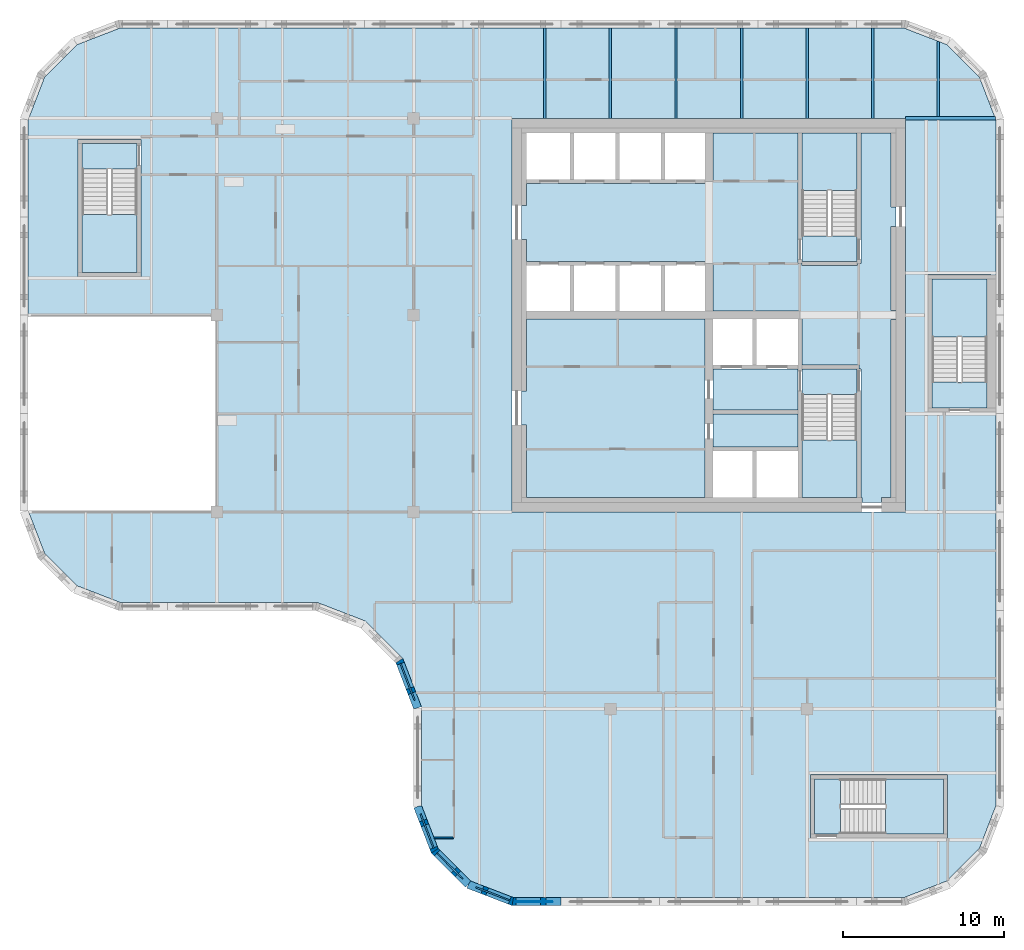
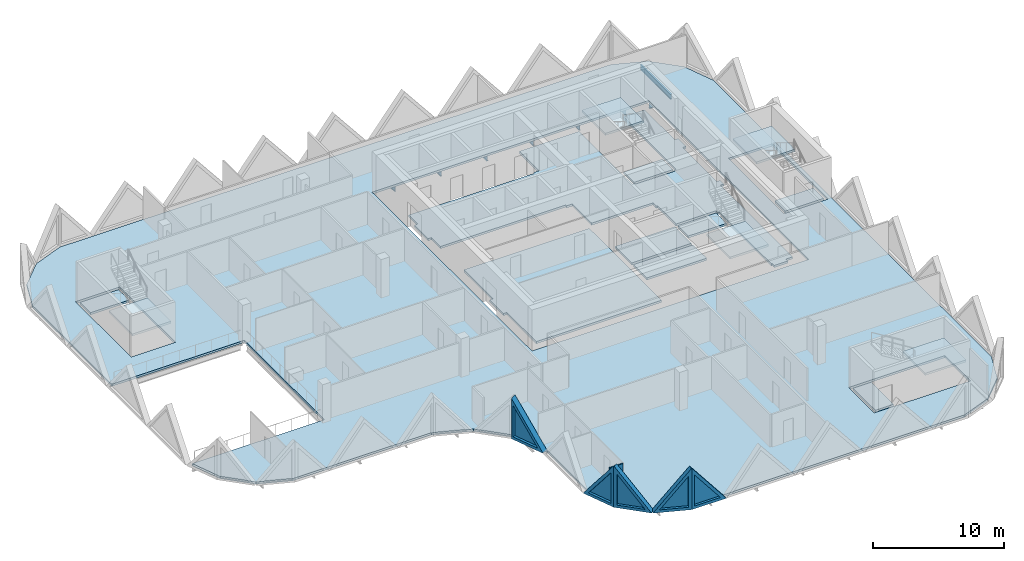
# One storey, part 2 of 12: 15 slabs, 8 beams, 6 walls, 5 plates, 5 openings, 5 elements without a shape of their own.
"""IFC4 building model written with IfcOpenShell, lengths in metres."""

from ifc_helpers import new_model, si_unit, direction, frame, frame_2d, origin, origin_2d, place, context, subcontext, project, spatial, polyline, rectangle, i_section, outline, extrude, faceted_brep, source, transform, mapped, material, layer, layer_set, material_profile, profile_set, type_object, element, fill, aggregate, save


model = new_model("IFC4")

# Units and contexts
model_context = context("Model", 3, precision=1e-05, world=origin(), true_north=direction((0.0, 1.0)))
body_context = subcontext(model_context, "Body", "Model", "MODEL_VIEW")
ifc_project = project(units=[si_unit("LENGTHUNIT", "METRE"), si_unit("AREAUNIT", "SQUARE_METRE"), si_unit("VOLUMEUNIT", "CUBIC_METRE"), si_unit("PLANEANGLEUNIT", "RADIAN"), si_unit("MASSUNIT", "GRAM", prefix="KILO")], contexts=[model_context])

# Site, building, storey
site_placement = place(None, origin())
site = spatial("IfcSite", under=ifc_project, at=site_placement, CompositionType="ELEMENT")
building_placement = place(site_placement, origin())
building = spatial("IfcBuilding", under=site, at=building_placement, Name="Tessera Gate Towers", CompositionType="ELEMENT")
storey_placement = place(building_placement, frame((0.0, 0.0, 155.39990234375)))
storey = spatial("IfcBuildingStorey", under=building, at=storey_placement, Name="L38", CompositionType="ELEMENT", Elevation=155.39990234375)

# Beams
ifc_material_1 = material(Name="Steel 350W", Category="steel")
ifc_material_profile_1 = material_profile(ifc_material_1, i_section(OverallWidth=0.208984375, OverallDepth=0.532958984375, WebThickness=0.01025390625, FlangeThickness=0.015625, at=origin_2d()), Name="W530x92")
ifc_profile_set_1 = profile_set([ifc_material_profile_1], Name="Steel 350W")
beam_type_1 = type_object("IfcBeamType", Name="FLOOR GIRDER W530x92", PredefinedType="BEAM", material=ifc_profile_set_1)
beam_1_placement = place(storey_placement, frame((54.90087890625, 48.800048828125, -0.46630859375), z_axis=(1.0, 0.0, 0.0), x_axis=(0.0, 1.0, 0.0)))
element("IfcBeam", 1, at=beam_1_placement, inside=storey, type_object=beam_type_1, Name="T1-GD-L38-4384", PredefinedType="BEAM", context=body_context, shape_type="SweptSolid", body=[
    extrude(i_section(OverallWidth=0.208984375, OverallDepth=0.532958984375, WebThickness=0.01025390625, FlangeThickness=0.015625, at=origin_2d()), origin(), (0.0, 0.0, 1.0), 5.564208984375),
])
ifc_material_2 = material(Name="Steel 350W", Category="steel")
ifc_material_profile_2 = material_profile(ifc_material_2, i_section(OverallWidth=0.153076171875, OverallDepth=0.455078125, WebThickness=0.008056640625, FlangeThickness=0.01318359375, at=origin_2d()), Name="W460x60")
ifc_profile_set_2 = profile_set([ifc_material_profile_2], Name="Steel 350W")
beam_type_2 = type_object("IfcBeamType", Name="FLOOR SECONDARY W460x60", PredefinedType="BEAM", material=ifc_profile_set_2)
for number, where, z_axis, x_axis, name in (
    (2, (32.533203125, 48.800048828125, -0.427490234375), (0.0, 1.0, 0.0), (-1.0, 0.0, 0.0), "T1-BM-L38-4423"),
    (3, (36.60009765625, 48.800048828125, -0.427490234375), (0.0, 1.0, 0.0), (-1.0, 0.0, 0.0), "T1-BM-L38-4424"),
    (4, (40.666748046875, 48.800048828125, -0.427490234375), (0.0, 1.0, 0.0), (-1.0, 0.0, 0.0), "T1-BM-L38-4427"),
    (5, (44.7333984375, 48.800048828125, -0.427490234375), (0.0, 1.0, 0.0), (-1.0, 0.0, 0.0), "T1-BM-L38-4430"),
    (6, (48.800048828125, 48.800048828125, -0.427490234375), (0.0, 1.0, 0.0), (-1.0, 0.0, 0.0), "T1-BM-L38-4431"),
    (7, (52.86669921875, 48.800048828125, -0.427490234375), (0.0, 1.0, 0.0), (-1.0, 0.0, 0.0), "T1-BM-L38-4435"),
):
    element("IfcBeam", number, at=place(storey_placement, frame(where, z_axis=z_axis, x_axis=x_axis)), inside=storey, type_object=beam_type_2, Name=name, PredefinedType="BEAM", context=body_context, shape_type="SweptSolid", body=[
        extrude(i_section(OverallWidth=0.153076171875, OverallDepth=0.455078125, WebThickness=0.008056640625, FlangeThickness=0.01318359375, at=origin_2d()), origin(), (0.0, 0.0, 1.0), 5.599853515625),
    ])
beam_2_placement = place(storey_placement, frame((56.933349609375, 48.904541015625, -0.427490234375), z_axis=(0.0, 1.0, 0.0), x_axis=(-1.0, 0.0, 0.0)))
element("IfcBeam", 8, at=beam_2_placement, inside=storey, type_object=beam_type_2, Name="T1-BM-L38-4441", PredefinedType="BEAM", context=body_context, shape_type="SweptSolid", body=[
    extrude(i_section(OverallWidth=0.153076171875, OverallDepth=0.455078125, WebThickness=0.008056640625, FlangeThickness=0.01318359375, at=origin_2d()), origin(), (0.0, 0.0, 1.0), 4.675048828125),
])

# Slabs
ifc_material_3 = material(Name="Concrete C35/45", Category="concrete")
ifc_layer_1 = layer(ifc_material_3, 0.199951171875)
ifc_layer_set_1 = layer_set([ifc_layer_1], Name="COMPOSITE FLOOR 200")
slab_type_1 = type_object("IfcSlabType", Name="COMPOSITE FLOOR 200", PredefinedType="FLOOR", material=ifc_layer_set_1)
slab_1_placement = place(storey_placement, frame((0.0, 0.0, -0.199951171875)))
element("IfcSlab", 9, at=slab_1_placement, inside=storey, type_object=slab_type_1, Name="T1-L38", PredefinedType="FLOOR", context=body_context, shape_type="SweptSolid", body=[
    extrude(outline(polyline([(0.5, 36.60009765625), (12.199951171875, 36.60009765625), (12.199951171875, 24.39990234375), (0.535888671875, 24.39990234375), (1.526123046875, 21.8330078125), (3.533203125, 19.826171875), (6.193115234375, 18.800048828125), (18.39306640625, 18.800048828125), (21.42431640625, 17.630615234375), (23.730712890625, 15.32421875), (24.89990234375, 12.293212890625), (24.89990234375, 6.193115234375), (25.926025390625, 3.533203125), (27.93310546875, 1.526123046875), (30.593017578125, 0.5), (54.806884765625, 0.5), (57.466796875, 1.526123046875), (59.473876953125, 3.533203125), (60.5, 6.193115234375), (60.5, 48.706787109375), (59.473876953125, 51.366943359375), (57.466796875, 53.373779296875), (54.806884765625, 54.39990234375), (6.193115234375, 54.39990234375), (3.533203125, 53.373779296875), (1.526123046875, 51.366943359375), (0.5, 48.706787109375), (0.5, 36.60009765625)]), holes=[polyline([(3.60009765625, 39.0), (3.60009765625, 47.5), (7.5, 47.5), (7.5, 39.0), (3.60009765625, 39.0)]), polyline([(30.5, 24.39990234375), (30.5, 48.800048828125), (54.89990234375, 48.800048828125), (54.89990234375, 24.39990234375), (30.5, 24.39990234375)]), polyline([(49.0, 4.199951171875), (49.0, 8.10009765625), (57.5, 8.10009765625), (57.5, 4.199951171875), (49.0, 4.199951171875)]), polyline([(56.300048828125, 30.60009765625), (56.300048828125, 39.10009765625), (60.199951171875, 39.10009765625), (60.199951171875, 30.60009765625), (56.300048828125, 30.60009765625)])]), origin(), (0.0, 0.0, 1.0), 0.199951171875),
])
ifc_material_4 = material(Name="Concrete C35/45", Category="concrete")
ifc_layer_2 = layer(ifc_material_4, 0.199951171875)
ifc_layer_set_2 = layer_set([ifc_layer_2], Name="CORE FLOOR SLAB 200")
slab_type_2 = type_object("IfcSlabType", Name="CORE FLOOR SLAB 200", PredefinedType="FLOOR", material=ifc_layer_set_2)
slab_2_placement = place(storey_placement, frame((0.0, 0.0, -0.199951171875)))
element("IfcSlab", 10, at=slab_2_placement, inside=storey, type_object=slab_type_2, Name="L38 core floor slab", PredefinedType="FLOOR", context=body_context, shape_type="SweptSolid", body=[
    extrude(outline(polyline([(42.449951171875, 44.89990234375), (42.449951171875, 44.77490234375), (31.39990234375, 44.77490234375), (31.39990234375, 43.39990234375), (31.10009765625, 43.39990234375), (31.10009765625, 41.300048828125), (31.39990234375, 41.300048828125), (31.39990234375, 39.925048828125), (42.449951171875, 39.925048828125), (42.449951171875, 39.800048828125), (42.949951171875, 39.800048828125), (42.949951171875, 36.85009765625), (48.35009765625, 36.85009765625), (48.35009765625, 36.35009765625), (48.47509765625, 36.35009765625), (48.47509765625, 33.52490234375), (52.0, 33.52490234375), (52.0, 33.27490234375), (52.125, 33.27490234375), (52.125, 25.300048828125), (52.199951171875, 25.300048828125), (52.199951171875, 25.0), (53.39990234375, 25.0), (53.39990234375, 25.300048828125), (54.0, 25.300048828125), (54.0, 36.320068359375), (54.300048828125, 36.320068359375), (54.300048828125, 36.8798828125), (54.0, 36.8798828125), (54.0, 42.10009765625), (54.300048828125, 42.10009765625), (54.300048828125, 43.300048828125), (54.0, 43.300048828125), (54.0, 47.89990234375), (52.125, 47.89990234375), (52.125, 39.800048828125), (51.875, 39.800048828125), (51.875, 39.675048828125), (48.47509765625, 39.675048828125), (48.47509765625, 39.800048828125), (48.22509765625, 39.800048828125), (48.22509765625, 47.89990234375), (42.949951171875, 47.89990234375), (42.949951171875, 44.89990234375), (42.449951171875, 44.89990234375)])), origin(), (0.0, 0.0, 1.0), 0.199951171875),
])
slab_3_placement = place(storey_placement, frame((0.0, 0.0, -0.199951171875)))
element("IfcSlab", 11, at=slab_3_placement, inside=storey, type_object=slab_type_2, Name="L38 core floor slab", PredefinedType="FLOOR", context=body_context, shape_type="SweptSolid", body=[
    extrude(outline(polyline([(31.39990234375, 36.35009765625), (31.39990234375, 31.89990234375), (31.10009765625, 31.89990234375), (31.10009765625, 29.800048828125), (31.39990234375, 29.800048828125), (31.39990234375, 25.300048828125), (42.449951171875, 25.300048828125), (42.449951171875, 36.35009765625), (31.39990234375, 36.35009765625)])), origin(), (0.0, 0.0, 1.0), 0.199951171875),
])
slab_4_placement = place(storey_placement, frame((0.0, 0.0, -0.199951171875)))
element("IfcSlab", 12, at=slab_4_placement, inside=storey, type_object=slab_type_2, Name="L38 core floor slab", PredefinedType="FLOOR", context=body_context, shape_type="SweptSolid", body=[
    extrude(outline(polyline([(42.949951171875, 33.27490234375), (42.949951171875, 30.72509765625), (48.22509765625, 30.72509765625), (48.22509765625, 33.27490234375), (42.949951171875, 33.27490234375)])), origin(), (0.0, 0.0, 1.0), 0.199951171875),
])
slab_5_placement = place(storey_placement, frame((0.0, 0.0, -0.199951171875)))
element("IfcSlab", 13, at=slab_5_placement, inside=storey, type_object=slab_type_2, Name="L38 core floor slab", PredefinedType="FLOOR", context=body_context, shape_type="SweptSolid", body=[
    extrude(outline(polyline([(48.22509765625, 30.47509765625), (42.949951171875, 30.47509765625), (42.949951171875, 28.425048828125), (48.22509765625, 28.425048828125), (48.22509765625, 30.47509765625)])), origin(), (0.0, 0.0, 1.0), 0.199951171875),
])
slab_6_placement = place(storey_placement, frame((0.0, 0.0, -0.199951171875)))
element("IfcSlab", 14, at=slab_6_placement, inside=storey, type_object=slab_type_2, Name="L38 core floor slab", PredefinedType="FLOOR", context=body_context, shape_type="SweptSolid", body=[
    extrude(outline(polyline([(51.875, 31.675048828125), (51.875, 33.27490234375), (48.47509765625, 33.27490234375), (48.47509765625, 31.675048828125), (51.875, 31.675048828125)])), origin(), (0.0, 0.0, 1.0), 0.199951171875),
])
slab_7_placement = place(storey_placement, frame((0.0, 0.0, -0.199951171875)))
element("IfcSlab", 15, at=slab_7_placement, inside=storey, type_object=slab_type_2, Name="L38 core floor slab", PredefinedType="FLOOR", context=body_context, shape_type="SweptSolid", body=[
    extrude(outline(polyline([(48.47509765625, 41.52490234375), (48.47509765625, 39.925048828125), (51.875, 39.925048828125), (51.875, 41.52490234375), (48.47509765625, 41.52490234375)])), origin(), (0.0, 0.0, 1.0), 0.199951171875),
])
slab_8_placement = place(storey_placement, frame((0.0, 0.0, -0.199951171875)))
element("IfcSlab", 16, at=slab_8_placement, inside=storey, type_object=slab_type_2, Name="L38 ST3 floor landing", PredefinedType="FLOOR", context=body_context, shape_type="SweptSolid", body=[
    extrude(outline(polyline([(3.85009765625, 47.25), (3.85009765625, 45.64990234375), (7.25, 45.64990234375), (7.25, 47.25), (3.85009765625, 47.25)])), origin(), (0.0, 0.0, 1.0), 0.199951171875),
])
slab_9_placement = place(storey_placement, frame((0.0, 0.0, -0.199951171875)))
element("IfcSlab", 17, at=slab_9_placement, inside=storey, type_object=slab_type_2, Name="L38 ST4 floor landing", PredefinedType="FLOOR", context=body_context, shape_type="SweptSolid", body=[
    extrude(outline(polyline([(49.25, 4.449951171875), (50.85009765625, 4.449951171875), (50.85009765625, 7.85009765625), (49.25, 7.85009765625), (49.25, 4.449951171875)])), origin(), (0.0, 0.0, 1.0), 0.199951171875),
])
slab_10_placement = place(storey_placement, frame((0.0, 0.0, -0.199951171875)))
element("IfcSlab", 18, at=slab_10_placement, inside=storey, type_object=slab_type_2, Name="L38 ST5 floor landing", PredefinedType="FLOOR", context=body_context, shape_type="SweptSolid", body=[
    extrude(outline(polyline([(59.949951171875, 30.85009765625), (59.949951171875, 32.449951171875), (56.550048828125, 32.449951171875), (56.550048828125, 30.85009765625), (59.949951171875, 30.85009765625)])), origin(), (0.0, 0.0, 1.0), 0.199951171875),
])

# Stair, slab
ifc_material_5 = material(Name="Concrete C40/50", Category="concrete")
stair_type_1 = type_object("IfcStairType", Name="EXIT STAIR ST1 1600", PredefinedType="HALF_TURN_STAIR", material=ifc_material_5)
stair_1_placement = place(storey_placement, origin())
stair_1 = element("IfcStair", 19, at=stair_1_placement, inside=storey, type_object=stair_type_1, Name="L38 Protected Exit Stair ST1", PredefinedType="HALF_TURN_STAIR")
ifc_material_6 = material(Name="Concrete C40/50", Category="concrete")
ifc_layer_3 = layer(ifc_material_6, 0.199951171875)
ifc_layer_set_3 = layer_set([ifc_layer_3], Name="EXIT STAIR LANDING 200")
slab_type_3 = type_object("IfcSlabType", Name="EXIT STAIR LANDING 200", PredefinedType="LANDING", material=ifc_layer_set_3)
slab_11_placement = place(storey_placement, frame((0.0, 0.0, 1.7001953125)))
slab_11 = element("IfcSlab", 20, at=slab_11_placement, type_object=slab_type_3, Name="ST1 landing 1", PredefinedType="LANDING", context=body_context, shape_type="SweptSolid", body=[
    extrude(outline(polyline([(48.47509765625, 28.875), (48.47509765625, 25.300048828125), (51.875, 25.300048828125), (51.875, 28.875), (48.47509765625, 28.875)])), origin(), (0.0, 0.0, 1.0), 0.199951171875),
])
aggregate(stair_1, [slab_11])

ifc_material_7 = material(Name="Concrete C40/50", Category="concrete")
stair_type_2 = type_object("IfcStairType", Name="EXIT STAIR ST2 1600", PredefinedType="HALF_TURN_STAIR", material=ifc_material_7)
stair_2_placement = place(storey_placement, origin())
stair_2 = element("IfcStair", 21, at=stair_2_placement, inside=storey, type_object=stair_type_2, Name="L38 Protected Exit Stair ST2", PredefinedType="HALF_TURN_STAIR")
slab_12_placement = place(storey_placement, frame((0.0, 0.0, 1.7001953125)))
slab_12 = element("IfcSlab", 22, at=slab_12_placement, type_object=slab_type_3, Name="ST2 landing 1", PredefinedType="LANDING", context=body_context, shape_type="SweptSolid", body=[
    extrude(outline(polyline([(51.875, 44.324951171875), (51.875, 47.89990234375), (48.47509765625, 47.89990234375), (48.47509765625, 44.324951171875), (51.875, 44.324951171875)])), origin(), (0.0, 0.0, 1.0), 0.199951171875),
])
aggregate(stair_2, [slab_12])

ifc_material_8 = material(Name="Concrete C40/50", Category="concrete")
stair_type_3 = type_object("IfcStairType", Name="EXIT STAIR ST3 1600", PredefinedType="HALF_TURN_STAIR", material=ifc_material_8)
stair_3_placement = place(storey_placement, origin())
stair_3 = element("IfcStair", 23, at=stair_3_placement, inside=storey, type_object=stair_type_3, Name="L38 West Exit Stair ST3", PredefinedType="HALF_TURN_STAIR")
slab_13_placement = place(storey_placement, frame((0.0, 0.0, 1.7001953125)))
slab_13 = element("IfcSlab", 24, at=slab_13_placement, type_object=slab_type_3, Name="ST3 landing 1", PredefinedType="LANDING", context=body_context, shape_type="SweptSolid", body=[
    extrude(outline(polyline([(3.85009765625, 42.85009765625), (3.85009765625, 39.25), (7.25, 39.25), (7.25, 42.85009765625), (3.85009765625, 42.85009765625)])), origin(), (0.0, 0.0, 1.0), 0.199951171875),
])
aggregate(stair_3, [slab_13])

ifc_material_9 = material(Name="Concrete C40/50", Category="concrete")
stair_type_4 = type_object("IfcStairType", Name="EXIT STAIR ST4 1600", PredefinedType="HALF_TURN_STAIR", material=ifc_material_9)
stair_4_placement = place(storey_placement, origin())
stair_4 = element("IfcStair", 25, at=stair_4_placement, inside=storey, type_object=stair_type_4, Name="L38 South Exit Stair ST4", PredefinedType="HALF_TURN_STAIR")
slab_14_placement = place(storey_placement, frame((0.0, 0.0, 1.7001953125)))
slab_14 = element("IfcSlab", 26, at=slab_14_placement, type_object=slab_type_3, Name="ST4 landing 1", PredefinedType="LANDING", context=body_context, shape_type="SweptSolid", body=[
    extrude(outline(polyline([(53.64990234375, 4.449951171875), (57.25, 4.449951171875), (57.25, 7.85009765625), (53.64990234375, 7.85009765625), (53.64990234375, 4.449951171875)])), origin(), (0.0, 0.0, 1.0), 0.199951171875),
])
aggregate(stair_4, [slab_14])

ifc_material_10 = material(Name="Concrete C40/50", Category="concrete")
stair_type_5 = type_object("IfcStairType", Name="EXIT STAIR ST5 1600", PredefinedType="HALF_TURN_STAIR", material=ifc_material_10)
stair_5_placement = place(storey_placement, origin())
stair_5 = element("IfcStair", 27, at=stair_5_placement, inside=storey, type_object=stair_type_5, Name="L38 East Exit Stair ST5", PredefinedType="HALF_TURN_STAIR")
slab_15_placement = place(storey_placement, frame((0.0, 0.0, 1.7001953125)))
slab_15 = element("IfcSlab", 28, at=slab_15_placement, type_object=slab_type_3, Name="ST5 landing 1", PredefinedType="LANDING", context=body_context, shape_type="SweptSolid", body=[
    extrude(outline(polyline([(59.949951171875, 35.25), (59.949951171875, 38.85009765625), (56.550048828125, 38.85009765625), (56.550048828125, 35.25), (59.949951171875, 35.25)])), origin(), (0.0, 0.0, 1.0), 0.199951171875),
])
aggregate(stair_5, [slab_15])

# Wall
ifc_material_11 = material(Name="Gypsum board on steel studs", Category="steel")
ifc_layer_4 = layer(ifc_material_11, 0.10009765625)
ifc_layer_set_4 = layer_set([ifc_layer_4], Name="PARTITION 100")
wall_type_1 = type_object("IfcWallType", Name="PARTITION 100", PredefinedType="PARTITIONING", material=ifc_layer_set_4)
wall_1_placement = place(storey_placement, frame((25.668701171875, 4.199951171875, 0.0), z_axis=(0.0, 0.0, 1.0), x_axis=(1.0, 0.0, 0.0)))
element("IfcWall", 29, at=wall_1_placement, inside=storey, type_object=wall_type_1, Name="T1-L38-PW-003", PredefinedType="PARTITIONING", context=body_context, shape_type="SweptSolid", body=[
    extrude(rectangle(XDim=1.180419921875, YDim=0.10009765625, at=frame_2d((0.59033203125, 0.0))), origin(), (0.0, 0.0, 1.0), 3.067138671875),
])

# Wall, opening, plate
ifc_material_12 = material(Name="Precast concrete C60/75 white", Category="concrete")
ifc_layer_5 = layer(ifc_material_12, 0.5)
ifc_layer_set_5 = layer_set([ifc_layer_5], Name="TS3 corner tessera")
wall_type_2 = type_object("IfcWallType", Name="TS3 corner tessera", PredefinedType="SOLIDWALL", material=ifc_layer_set_5)
shared_shape_1 = source(origin(), body_context, "Body", "Brep", [
    faceted_brep([(3.050048828125, -0.25, 0.0), (0.046630859375, -0.25, 3.800048828125), (0.0, -0.25, 3.739990234375), (0.0, -0.25, 0.0), (0.09326171875, 0.25, 3.7412109375), (3.050048828125, 0.25, 0.0), (0.09326171875, 0.25, 0.0), (0.046630859375, 0.0, 3.800048828125)], [[[0, 1, 2, 3]], [[4, 5, 6]], [[5, 4, 7, 1, 0]], [[2, 1, 7]], [[6, 5, 0, 3]], [[6, 3, 2, 7, 4]]]),
])
wall_2_placement = place(storey_placement, frame((30.5, 0.25, 0.0), z_axis=(0.0, 0.0, 1.0), x_axis=(1.0, 0.0, 0.0)))
wall_2 = element("IfcWall", 30, at=wall_2_placement, inside=storey, type_object=wall_type_2, Name="Precast corner tessera T1 TS3-0865", PredefinedType="SOLIDWALL", context=body_context, shape_type="MappedRepresentation", body=[
    mapped(shared_shape_1, transform((0.0, 0.0, 0.0), scale=1.0)),
])
shared_shape_2 = source(origin(), body_context, "Body", "SweptSolid", [
    extrude(outline(polyline([(2.533935546875, 0.25), (0.24658203125, 3.143798828125), (0.24658203125, 0.25), (2.533935546875, 0.25)])), frame((0.0, 0.260009765625, 0.0), z_axis=(0.0, -1.0, 0.0), x_axis=(1.0, 0.0, 0.0)), (0.0, 0.0, 1.0), 0.52001953125),
])
opening_1_placement = place(wall_2_placement, origin())
opening_1 = element("IfcOpeningElement", 31, at=opening_1_placement, cuts=wall_2, Name="Opening T1-PL1-0376", PredefinedType="OPENING", context=body_context, shape_type="MappedRepresentation", body=[
    mapped(shared_shape_2, transform((0.0, 0.0, 0.0), scale=1.0)),
])
ifc_material_13 = material(Name="Low-e laminated glass", Category="glass")
ifc_layer_6 = layer(ifc_material_13, 0.06005859375)
ifc_layer_set_6 = layer_set([ifc_layer_6], Name="PL1 triangular pane")
plate_type = type_object("IfcPlateType", Name="PL1 triangular pane", PredefinedType="SHEET", material=ifc_layer_set_6)
shared_shape_3 = source(origin(), body_context, "Body", "SweptSolid", [
    extrude(outline(polyline([(2.533935546875, 0.25), (0.24658203125, 3.143798828125), (0.24658203125, 0.25), (2.533935546875, 0.25)])), frame((0.0, 0.030029296875, 0.0), z_axis=(0.0, -1.0, 0.0), x_axis=(1.0, 0.0, 0.0)), (0.0, 0.0, 1.0), 0.06005859375),
])
plate_1_placement = place(opening_1_placement, origin())
plate_1 = element("IfcPlate", 32, at=plate_1_placement, inside=storey, type_object=plate_type, Name="Glass pane T1 PL1-0376", PredefinedType="SHEET", context=body_context, shape_type="MappedRepresentation", body=[
    mapped(shared_shape_3, transform((0.0, 0.0, 0.0), scale=1.0)),
])
fill(opening_1, plate_1)

shared_shape_4 = source(origin(), body_context, "Body", "Brep", [
    faceted_brep([(2.9970703125, -0.25, 3.740966796875), (2.950439453125, -0.25, 3.800048828125), (0.0, -0.25, 0.0), (2.9970703125, -0.25, 0.0), (0.052978515625, 0.25, 0.068115234375), (2.904052734375, 0.25, 3.740234375), (2.904052734375, 0.25, 0.0), (0.052978515625, 0.25, 0.0), (2.950439453125, 0.00048828125, 3.800048828125), (0.0, 0.0, 0.0)], [[[0, 1, 2, 3]], [[4, 5, 6, 7]], [[8, 1, 0]], [[5, 4, 9, 2, 1, 8]], [[7, 6, 3, 2, 9]], [[7, 9, 4]], [[3, 6, 5, 8, 0]]]),
])
wall_3_placement = place(storey_placement, frame((27.793701171875, 1.31201171875, 0.0), z_axis=(0.0, 0.0, 1.0), x_axis=(0.932973525033, -0.359944998003, 0.0)))
wall_3 = element("IfcWall", 33, at=wall_3_placement, inside=storey, type_object=wall_type_2, Name="Precast corner tessera T1 TS3-0866", PredefinedType="SOLIDWALL", context=body_context, shape_type="MappedRepresentation", body=[
    mapped(shared_shape_4, transform((0.0, 0.0, 0.0), scale=1.0)),
])
shared_shape_5 = source(origin(), body_context, "Body", "SweptSolid", [
    extrude(outline(polyline([(2.75048828125, 3.134765625), (0.5107421875, 0.25), (2.75048828125, 0.25), (2.75048828125, 3.134765625)])), frame((0.0, 0.260009765625, 0.0), z_axis=(0.0, -1.0, 0.0), x_axis=(1.0, 0.0, 0.0)), (0.0, 0.0, 1.0), 0.52001953125),
])
opening_2_placement = place(wall_3_placement, origin())
opening_2 = element("IfcOpeningElement", 34, at=opening_2_placement, cuts=wall_3, Name="Opening T1-PL1-0377", PredefinedType="OPENING", context=body_context, shape_type="MappedRepresentation", body=[
    mapped(shared_shape_5, transform((0.0, 0.0, 0.0), scale=1.0)),
])
shared_shape_6 = source(origin(), body_context, "Body", "SweptSolid", [
    extrude(outline(polyline([(2.75048828125, 3.134765625), (0.5107421875, 0.25), (2.75048828125, 0.25), (2.75048828125, 3.134765625)])), frame((0.0, 0.030029296875, 0.0), z_axis=(0.0, -1.0, 0.0), x_axis=(1.0, 0.0, 0.0)), (0.0, 0.0, 1.0), 0.06005859375),
])
plate_2_placement = place(opening_2_placement, origin())
plate_2 = element("IfcPlate", 35, at=plate_2_placement, inside=storey, type_object=plate_type, Name="Glass pane T1 PL1-0377", PredefinedType="SHEET", context=body_context, shape_type="MappedRepresentation", body=[
    mapped(shared_shape_6, transform((0.0, 0.0, 0.0), scale=1.0)),
])
fill(opening_2, plate_2)

shared_shape_7 = source(origin(), body_context, "Body", "Brep", [
    faceted_brep([(3.156005859375, -0.25, 0.05615234375), (0.10595703125, -0.25, 3.736083984375), (0.10595703125, -0.25, 0.0), (3.156005859375, -0.25, 0.0), (0.0, 0.25, 3.736328125), (0.052978515625, 0.25, 3.800048828125), (3.202392578125, 0.25, 0.0), (0.0, 0.25, 0.0), (0.052978515625, 0.0, 3.800048828125), (3.202392578125, -0.000244140625, 0.0)], [[[0, 1, 2, 3]], [[4, 5, 6, 7]], [[6, 5, 8, 1, 0, 9]], [[5, 4, 8]], [[7, 6, 9, 3, 2]], [[7, 2, 1, 8, 4]], [[3, 9, 0]]]),
])
wall_4_placement = place(storey_placement, frame((23.497314453125, 15.234375, 0.0), z_axis=(0.0, 0.0, 1.0), x_axis=(0.359913782069, -0.932985567668, 0.0)))
wall_4 = element("IfcWall", 36, at=wall_4_placement, inside=storey, type_object=wall_type_2, Name="Precast corner tessera T1 TS3-0886", PredefinedType="SOLIDWALL", context=body_context, shape_type="MappedRepresentation", body=[
    mapped(shared_shape_7, transform((0.0, 0.0, 0.0), scale=1.0)),
])
shared_shape_8 = source(origin(), body_context, "Body", "SweptSolid", [
    extrude(outline(polyline([(2.670654296875, 0.25), (0.2529296875, 3.1669921875), (0.2529296875, 0.25), (2.670654296875, 0.25)])), frame((0.0, 0.260009765625, 0.0), z_axis=(0.0, -1.0, 0.0), x_axis=(1.0, 0.0, 0.0)), (0.0, 0.0, 1.0), 0.52001953125),
])
opening_3_placement = place(wall_4_placement, origin())
opening_3 = element("IfcOpeningElement", 37, at=opening_3_placement, cuts=wall_4, Name="Opening T1-PL1-0419", PredefinedType="OPENING", context=body_context, shape_type="MappedRepresentation", body=[
    mapped(shared_shape_8, transform((0.0, 0.0, 0.0), scale=1.0)),
])
shared_shape_9 = source(origin(), body_context, "Body", "SweptSolid", [
    extrude(outline(polyline([(2.670654296875, 0.25), (0.2529296875, 3.1669921875), (0.2529296875, 0.25), (2.670654296875, 0.25)])), frame((0.0, 0.030029296875, 0.0), z_axis=(0.0, -1.0, 0.0), x_axis=(1.0, 0.0, 0.0)), (0.0, 0.0, 1.0), 0.06005859375),
])
plate_3_placement = place(opening_3_placement, origin())
plate_3 = element("IfcPlate", 38, at=plate_3_placement, inside=storey, type_object=plate_type, Name="Glass pane T1 PL1-0419", PredefinedType="SHEET", context=body_context, shape_type="MappedRepresentation", body=[
    mapped(shared_shape_9, transform((0.0, 0.0, 0.0), scale=1.0)),
])
fill(opening_3, plate_3)

shared_shape_10 = source(origin(), body_context, "Body", "Brep", [
    faceted_brep([(3.00341796875, -0.25, 3.731689453125), (2.950439453125, -0.25, 3.800048828125), (0.0, -0.25, 0.0), (3.00341796875, -0.25, 0.0), (0.046630859375, 0.25, 0.06005859375), (2.897705078125, 0.25, 3.73193359375), (2.897705078125, 0.25, 0.0), (0.046630859375, 0.25, 0.0), (2.950439453125, 0.00048828125, 3.800048828125), (0.0, 0.0, 0.0)], [[[0, 1, 2, 3]], [[4, 5, 6, 7]], [[8, 1, 0]], [[5, 4, 9, 2, 1, 8]], [[7, 6, 3, 2, 9]], [[7, 9, 4]], [[3, 6, 5, 8, 0]]]),
])
wall_5_placement = place(storey_placement, frame((24.64990234375, 6.146484375, 0.0), z_axis=(0.0, 0.0, 1.0), x_axis=(0.359953949349, -0.932970071518, 0.0)))
wall_5 = element("IfcWall", 39, at=wall_5_placement, inside=storey, type_object=wall_type_2, Name="Precast corner tessera T1 TS3-0887", PredefinedType="SOLIDWALL", context=body_context, shape_type="MappedRepresentation", body=[
    mapped(shared_shape_10, transform((0.0, 0.0, 0.0), scale=1.0)),
])
opening_4_placement = place(wall_5_placement, origin())
opening_4 = element("IfcOpeningElement", 40, at=opening_4_placement, cuts=wall_5, Name="Opening T1-PL1-0421", PredefinedType="OPENING", context=body_context, shape_type="MappedRepresentation", body=[
    mapped(shared_shape_5, transform((0.0, 0.0, 0.0), scale=1.0)),
])
plate_4_placement = place(opening_4_placement, origin())
plate_4 = element("IfcPlate", 41, at=plate_4_placement, inside=storey, type_object=plate_type, Name="Glass pane T1 PL1-0421", PredefinedType="SHEET", context=body_context, shape_type="MappedRepresentation", body=[
    mapped(shared_shape_6, transform((0.0, 0.0, 0.0), scale=1.0)),
])
fill(opening_4, plate_4)

shared_shape_11 = source(origin(), body_context, "Body", "Brep", [
    faceted_brep([(2.9970703125, -0.25, 0.0), (0.052978515625, -0.25, 3.800048828125), (0.0, -0.25, 3.73193359375), (0.0, -0.25, 0.0), (0.10595703125, 0.25, 3.731689453125), (2.944091796875, 0.25, 0.068115234375), (2.944091796875, 0.25, 0.0), (0.10595703125, 0.25, 0.0), (0.052978515625, 0.0, 3.800048828125), (2.9970703125, 0.000244140625, 0.0)], [[[0, 1, 2, 3]], [[4, 5, 6, 7]], [[5, 4, 8, 1, 0, 9]], [[2, 1, 8]], [[7, 6, 9, 0, 3]], [[7, 3, 2, 8, 4]], [[9, 6, 5]]]),
])
wall_6_placement = place(storey_placement, frame((25.674560546875, 3.43115234375, 0.0), z_axis=(0.0, 0.0, 1.0), x_axis=(0.707106781187, -0.707106781187, 0.0)))
wall_6 = element("IfcWall", 42, at=wall_6_placement, inside=storey, type_object=wall_type_2, Name="Precast corner tessera T1 TS3-0888", PredefinedType="SOLIDWALL", context=body_context, shape_type="MappedRepresentation", body=[
    mapped(shared_shape_11, transform((0.0, 0.0, 0.0), scale=1.0)),
])
shared_shape_12 = source(origin(), body_context, "Body", "SweptSolid", [
    extrude(outline(polyline([(2.487060546875, 0.25), (0.2529296875, 3.1337890625), (0.2529296875, 0.25), (2.487060546875, 0.25)])), frame((0.0, 0.260009765625, 0.0), z_axis=(0.0, -1.0, 0.0), x_axis=(1.0, 0.0, 0.0)), (0.0, 0.0, 1.0), 0.52001953125),
])
opening_5_placement = place(wall_6_placement, origin())
opening_5 = element("IfcOpeningElement", 43, at=opening_5_placement, cuts=wall_6, Name="Opening T1-PL1-0422", PredefinedType="OPENING", context=body_context, shape_type="MappedRepresentation", body=[
    mapped(shared_shape_12, transform((0.0, 0.0, 0.0), scale=1.0)),
])
shared_shape_13 = source(origin(), body_context, "Body", "SweptSolid", [
    extrude(outline(polyline([(2.487060546875, 0.25), (0.2529296875, 3.1337890625), (0.2529296875, 0.25), (2.487060546875, 0.25)])), frame((0.0, 0.030029296875, 0.0), z_axis=(0.0, -1.0, 0.0), x_axis=(1.0, 0.0, 0.0)), (0.0, 0.0, 1.0), 0.06005859375),
])
plate_5_placement = place(opening_5_placement, origin())
plate_5 = element("IfcPlate", 44, at=plate_5_placement, inside=storey, type_object=plate_type, Name="Glass pane T1 PL1-0422", PredefinedType="SHEET", context=body_context, shape_type="MappedRepresentation", body=[
    mapped(shared_shape_13, transform((0.0, 0.0, 0.0), scale=1.0)),
])
fill(opening_5, plate_5)

save(model, "model.ifc")
